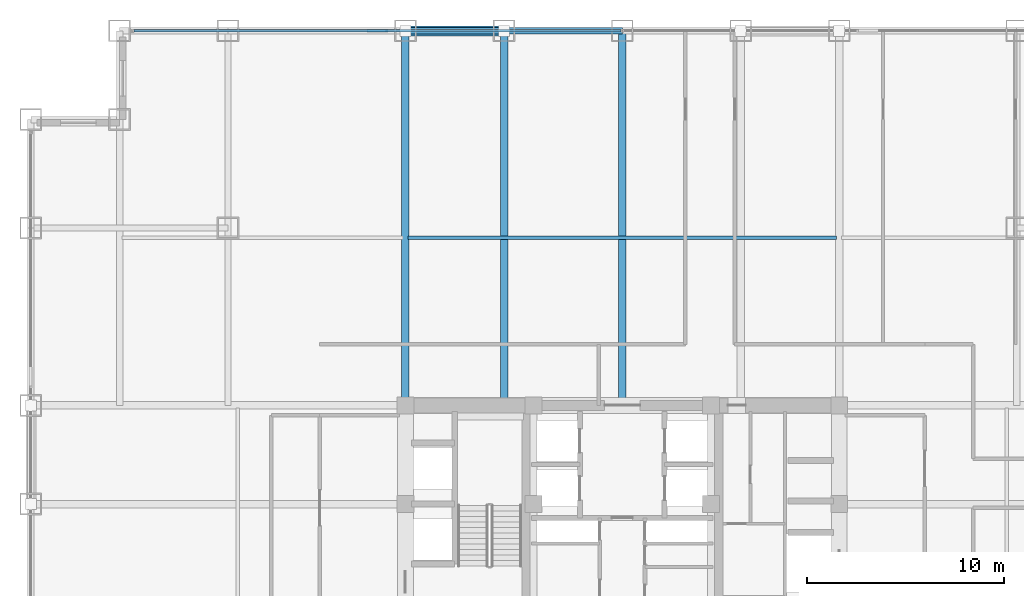
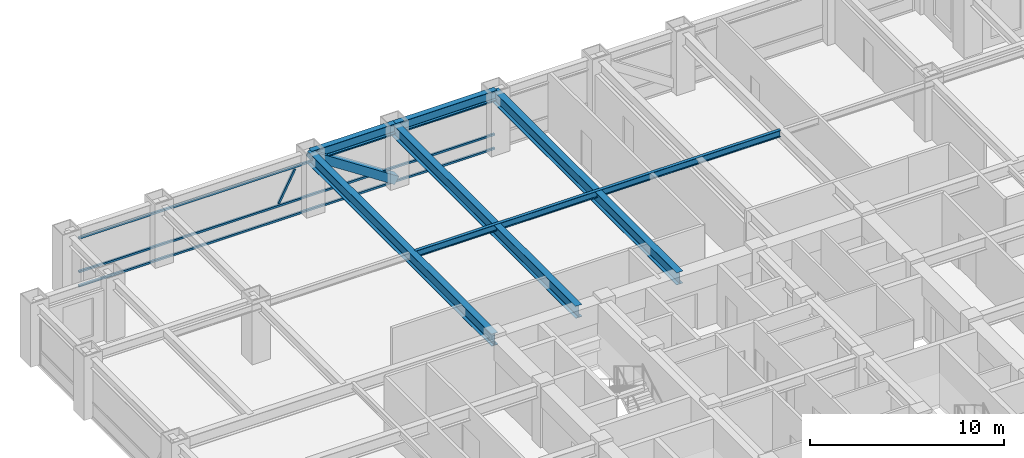
# One storey, part 15 of 24: 6 beams, 5 members, 1 element without a shape of its own.
"""IFC4 building model written with IfcOpenShell, lengths in metres."""

import ifcopenshell
import ifcopenshell.guid

model = None  # the IFC model being written
_history = None  # IfcOwnerHistory: only IFC2X3 demands one
_inside = {}  # id of a spatial element -> (the spatial element, [elements in it])
_under = {}  # id of a project, library or spatial element -> (it, [spatial elements below it])
_declared = {}  # id of a project -> (the project, [libraries it declares])
_typed = {}  # id of a type object -> (the type object, [elements of that type])
_made_of = {}  # id of a material, layer set ... -> (it, [elements and type objects made of it])


def new_model(schema):
    """Start an empty IFC model of exactly this schema.

    Asked for "IFC4X3", IfcOpenShell would pick the latest addendum, in which some entities
    have other attributes; the version numbers below select the first issue.
    IFC2X3 requires an IfcOwnerHistory on every rooted entity: one is made here for all.
    """
    global model, _history
    if schema == "IFC4X3":
        model = ifcopenshell.file(schema_version=(4, 3, 0, 0))
    else:
        model = ifcopenshell.file(schema=schema)
    _inside.clear()
    _under.clear()
    _declared.clear()
    _typed.clear()
    _made_of.clear()
    _history = None
    if model.schema == "IFC2X3":
        org = make("IfcOrganization", Name="unknown")
        user = make(
            "IfcPersonAndOrganization",
            ThePerson=make("IfcPerson", FamilyName="unknown"),
            TheOrganization=org,
        )
        app = make(
            "IfcApplication",
            ApplicationDeveloper=org,
            Version="unknown",
            ApplicationFullName="unknown",
            ApplicationIdentifier="unknown",
        )
        _history = make(
            "IfcOwnerHistory",
            OwningUser=user,
            OwningApplication=app,
            ChangeAction="ADDED",
            CreationDate=0,
        )
    return model


def make(cls, **values):
    """One entity of the class cls with the attributes given. An attribute that is None is left unset."""
    return model.create_entity(
        cls, **{name: value for name, value in values.items() if value is not None}
    )


def rooted(cls, **values):
    """An entity with a GlobalId (a new one), such as an element, a storey or a relation."""
    return make(cls, GlobalId=ifcopenshell.guid.new(), OwnerHistory=_history, **values)


def si_unit(unit_type, name, prefix=None):
    """IfcSIUnit, for example si_unit("LENGTHUNIT", "METRE", prefix="MILLI")."""
    return make("IfcSIUnit", UnitType=unit_type, Prefix=prefix, Name=name)


def assignment(units):
    """IfcUnitAssignment: the units of a project."""
    return None if units is None else make("IfcUnitAssignment", Units=units)


def point(xyz):
    """IfcCartesianPoint."""
    return None if xyz is None else make("IfcCartesianPoint", Coordinates=xyz)


def direction(xyz):
    """IfcDirection."""
    return None if xyz is None else make("IfcDirection", DirectionRatios=xyz)


def frame(location, z_axis=None, x_axis=None):
    """IfcAxis2Placement3D, a coordinate frame: its origin and axes. An axis left out is left unset."""
    return make(
        "IfcAxis2Placement3D",
        Location=point(location),
        Axis=direction(z_axis),
        RefDirection=direction(x_axis),
    )


def frame_2d(location, x_axis=None):
    """IfcAxis2Placement2D, a coordinate frame in the plane: its origin and x axis."""
    return make(
        "IfcAxis2Placement2D", Location=point(location), RefDirection=direction(x_axis)
    )


def origin():
    """The frame at (0, 0, 0) with its axes left unset."""
    return frame((0.0, 0.0, 0.0))


def origin_2d():
    """The frame at (0, 0) in the plane with its x axis left unset."""
    return frame_2d((0.0, 0.0))


def place(relative_to, where):
    """IfcLocalPlacement: puts the frame where relative to a parent placement (None: the world)."""
    return make(
        "IfcLocalPlacement", PlacementRelTo=relative_to, RelativePlacement=where
    )


def context(
    kind, dimensions, precision=None, world=None, true_north=None, identifier=None
):
    """IfcGeometricRepresentationContext, for example the 3D "Model" context."""
    return make(
        "IfcGeometricRepresentationContext",
        ContextIdentifier=identifier,
        ContextType=kind,
        CoordinateSpaceDimension=dimensions,
        Precision=precision,
        WorldCoordinateSystem=world,
        TrueNorth=true_north,
    )


def subcontext(parent, identifier, kind, view, scale=None):
    """IfcGeometricRepresentationSubContext, for example "Body" below "Model"."""
    return make(
        "IfcGeometricRepresentationSubContext",
        ContextIdentifier=identifier,
        ContextType=kind,
        ParentContext=parent,
        TargetScale=scale,
        TargetView=view,
    )


def project(units=None, contexts=None):
    """IfcProject with its units and contexts."""
    return rooted(
        "IfcProject",
        Name="project",
        RepresentationContexts=contexts,
        UnitsInContext=assignment(units),
    )


def spatial(cls, under=None, at=None, **own):
    """A site, building, storey or space (cls), placed at a placement, below another one or the project."""
    s = rooted(cls, ObjectPlacement=at, **own)
    if under is not None:
        _under.setdefault(under.id(), (under, []))[1].append(s)
    return s


def profile(cls, at=None, kind="AREA", **sizes):
    """A parametric profile (cls). Its sizes go by their IFC names, for example OverallWidth=200.0."""
    return make(cls, ProfileType=kind, Position=at, **sizes)


def hollow_rectangle(**sizes):
    """IfcRectangleHollowProfileDef."""
    return profile("IfcRectangleHollowProfileDef", **sizes)


def i_section(**sizes):
    """IfcIShapeProfileDef."""
    return profile("IfcIShapeProfileDef", **sizes)


def extrude(swept, where, along, depth):
    """IfcExtrudedAreaSolid: the profile swept, set in the frame where, extruded along a direction by depth."""
    return make(
        "IfcExtrudedAreaSolid",
        SweptArea=swept,
        Position=where,
        ExtrudedDirection=direction(along),
        Depth=depth,
    )


def shape(context_of_items, identifier, shape_type, items):
    """IfcShapeRepresentation: the items that make up one representation, for example the "Body"."""
    return make(
        "IfcShapeRepresentation",
        ContextOfItems=context_of_items,
        RepresentationIdentifier=identifier,
        RepresentationType=shape_type,
        Items=items,
    )


def source(mapping_origin, context_of_items, identifier, shape_type, items):
    """IfcRepresentationMap: a shape defined once, which mapped items show again and again."""
    return make(
        "IfcRepresentationMap",
        MappingOrigin=mapping_origin,
        MappedRepresentation=shape(context_of_items, identifier, shape_type, items),
    )


def transform(
    local_origin,
    x_axis=None,
    y_axis=None,
    z_axis=None,
    scale=None,
    scale2=None,
    scale3=None,
    uniform=True,
):
    """IfcCartesianTransformationOperator3D, or its non-uniform kind. x_axis, y_axis, z_axis: its Axis1, 2, 3."""
    if uniform:
        return make(
            "IfcCartesianTransformationOperator3D",
            Axis1=direction(x_axis),
            Axis2=direction(y_axis),
            LocalOrigin=point(local_origin),
            Scale=scale,
            Axis3=direction(z_axis),
        )
    return make(
        "IfcCartesianTransformationOperator3DnonUniform",
        Axis1=direction(x_axis),
        Axis2=direction(y_axis),
        LocalOrigin=point(local_origin),
        Scale=scale,
        Axis3=direction(z_axis),
        Scale2=scale2,
        Scale3=scale3,
    )


def mapped(mapping_source, mapping_target):
    """IfcMappedItem: shows the shape of a source again, moved by a transform."""
    return make(
        "IfcMappedItem", MappingSource=mapping_source, MappingTarget=mapping_target
    )


def material(Name=None, Category=None):
    """IfcMaterial."""
    return make("IfcMaterial", Name=Name, Category=Category)


def material_profile(
    of_material, cross_section, Name=None, Category=None, Priority=None
):
    """IfcMaterialProfile: a cross section and its material."""
    return make(
        "IfcMaterialProfile",
        Name=Name,
        Material=of_material,
        Profile=cross_section,
        Priority=Priority,
        Category=Category,
    )


def profile_set(profiles, Name=None, composite=None):
    """IfcMaterialProfileSet."""
    return make(
        "IfcMaterialProfileSet",
        Name=Name,
        MaterialProfiles=profiles,
        CompositeProfile=composite,
    )


def made_of(thing, what):
    """Note that an element or type object is made of a material, layer set ...; save() writes the relation."""
    if what is not None:
        _made_of.setdefault(what.id(), (what, []))[1].append(thing)
    return thing


def type_object(cls, material=None, **own):
    """A type object (cls), such as IfcWallType, which elements share."""
    return made_of(rooted(cls, **own), material)


def element(
    cls,
    number,
    at=None,
    inside=None,
    cuts=None,
    type_object=None,
    material=None,
    context=None,
    identifier="Body",
    shape_type=None,
    held_by="IfcProductDefinitionShape",
    body=None,
    shapes=None,
    **own,
):
    """One element of the class cls, such as IfcWall. Its Tag is "e" and its number.

    at: its placement. inside: the storey or other place that contains it. cuts: it is an
    opening in that element (IfcRelVoidsElement). A single representation is given by context,
    identifier, shape_type and body (its items); several are given by shapes. held_by: the class
    of the entity that holds the representations. save() writes the other relations.
    """
    e = rooted(cls, Tag="e%d" % number, ObjectPlacement=at, **own)
    if body is not None:
        shapes = [shape(context, identifier, shape_type, body)]
    if shapes is not None:
        e.Representation = make(held_by, Representations=shapes)
    if inside is not None:
        _inside.setdefault(inside.id(), (inside, []))[1].append(e)
    if cuts is not None:
        rooted(
            "IfcRelVoidsElement", RelatingBuildingElement=cuts, RelatedOpeningElement=e
        )
    if type_object is not None:
        _typed.setdefault(type_object.id(), (type_object, []))[1].append(e)
    return made_of(e, material)


def aggregate(whole, parts):
    """IfcRelAggregates: a whole, such as a stair, and the parts it consists of."""
    return rooted("IfcRelAggregates", RelatingObject=whole, RelatedObjects=parts)


def save(model, path):
    """Write the relations noted so far, then the file.

    IfcRelAggregates (storeys below a building ...), IfcRelContainedInSpatialStructure (elements
    in a storey), IfcRelDefinesByType, IfcRelAssociatesMaterial and IfcRelDeclares: one each for
    every whole, place, type object, material and project.
    """
    for whole, parts in _under.values():
        aggregate(whole, parts)
    for where, things in _inside.values():
        rooted(
            "IfcRelContainedInSpatialStructure",
            RelatedElements=things,
            RelatingStructure=where,
        )
    for kind, things in _typed.values():
        rooted("IfcRelDefinesByType", RelatedObjects=things, RelatingType=kind)
    for what, things in _made_of.values():
        rooted("IfcRelAssociatesMaterial", RelatedObjects=things, RelatingMaterial=what)
    for by, libraries in _declared.values():
        rooted("IfcRelDeclares", RelatingContext=by, RelatedDefinitions=libraries)
    model.write(path)


model = new_model("IFC4")

# Units and contexts
model_context = context("Model", 3, precision=1e-05, world=origin(), true_north=direction((0.0, 1.0)))
body_context = subcontext(model_context, "Body", "Model", "MODEL_VIEW")
ifc_project = project(units=[si_unit("LENGTHUNIT", "METRE"), si_unit("AREAUNIT", "SQUARE_METRE"), si_unit("VOLUMEUNIT", "CUBIC_METRE"), si_unit("PLANEANGLEUNIT", "RADIAN"), si_unit("MASSUNIT", "GRAM", prefix="KILO")], contexts=[model_context])

# Site, building, storey
site_placement = place(None, origin())
site = spatial("IfcSite", under=ifc_project, at=site_placement, CompositionType="ELEMENT")
building_placement = place(site_placement, origin())
building = spatial("IfcBuilding", under=site, at=building_placement, Name="Khorayat Bourse Tower", CompositionType="ELEMENT")
storey_placement = place(building_placement, frame((0.0, 0.0, 167.10009765625)))
storey = spatial("IfcBuildingStorey", under=building, at=storey_placement, Name="L38", CompositionType="ELEMENT", Elevation=167.10009765625)

# Beams
ifc_material_1 = material(Name="Steel ASTM A992 Grade 50", Category="steel")
ifc_material_profile_1 = material_profile(ifc_material_1, i_section(OverallWidth=0.381103515625, OverallDepth=0.77294921875, WebThickness=0.0166015625, FlangeThickness=0.027587890625, FilletRadius=0.01806640625, at=origin_2d()), Name="W760X257")
ifc_profile_set_1 = profile_set([ifc_material_profile_1], Name="Steel ASTM A992 Grade 50")
beam_type_1 = type_object("IfcBeamType", Name="BM-GIRD-760", PredefinedType="BEAM", material=ifc_profile_set_1)
shared_shape_1 = source(origin(), body_context, "Body", "SweptSolid", [
    extrude(i_section(OverallWidth=0.381103515625, OverallDepth=0.77294921875, WebThickness=0.0166015625, FlangeThickness=0.027587890625, FilletRadius=0.01806640625, at=origin_2d()), origin(), (0.0, 0.0, 1.0), 19.0),
])
for number, where, z_axis, x_axis, name in (
    (1, (-11.0, 11.0, 3.393310546875), (0.0, 1.0, 0.0), (-1.0, 0.0, 0.0), "L38 BM-GIRD-760 BM-L38-RADY-064"),
    (2, (-6.0, 11.0, 3.393310546875), (0.0, 1.0, 0.0), (-1.0, 0.0, 0.0), "L38 BM-GIRD-760 BM-L38-RADY-066"),
    (3, (0.0, 11.0, 3.393310546875), (0.0, 1.0, 0.0), (-1.0, 0.0, 0.0), "L38 BM-GIRD-760 BM-L38-RADY-068"),
):
    element("IfcBeam", number, at=place(storey_placement, frame(where, z_axis=z_axis, x_axis=x_axis)), inside=storey, type_object=beam_type_1, Name=name, PredefinedType="BEAM", context=body_context, shape_type="MappedRepresentation", body=[
        mapped(shared_shape_1, transform((0.0, 0.0, 0.0), scale=1.0)),
    ])
ifc_material_profile_2 = material_profile(ifc_material_1, i_section(OverallWidth=0.180908203125, OverallDepth=0.4169921875, WebThickness=0.010986328125, FlangeThickness=0.018310546875, FilletRadius=0.011962890625, at=origin_2d()), Name="W410X85")
ifc_profile_set_2 = profile_set([ifc_material_profile_2], Name="Steel ASTM A992 Grade 50")
beam_type_2 = type_object("IfcBeamType", Name="BM-JOIST-410", PredefinedType="JOIST", material=ifc_profile_set_2)
shared_shape_2 = source(origin(), body_context, "Body", "SweptSolid", [
    extrude(i_section(OverallWidth=0.180908203125, OverallDepth=0.4169921875, WebThickness=0.010986328125, FlangeThickness=0.018310546875, FilletRadius=0.011962890625, at=origin_2d()), origin(), (0.0, 0.0, 1.0), 21.740234375),
])
beam_1_placement = place(storey_placement, frame((-10.8701171875, 19.5, 3.5712890625), z_axis=(1.0, 0.0, 0.0), x_axis=(0.0, 1.0, 0.0)))
element("IfcBeam", 4, at=beam_1_placement, inside=storey, type_object=beam_type_2, Name="L38 BM-JOIST-410 BM-L38-JSTX-100", PredefinedType="JOIST", context=body_context, shape_type="MappedRepresentation", body=[
    mapped(shared_shape_2, transform((0.0, 0.0, 0.0), scale=1.0)),
])
ifc_material_profile_3 = material_profile(ifc_material_1, i_section(OverallWidth=0.324951171875, OverallDepth=0.615966796875, WebThickness=0.013916015625, FlangeThickness=0.021484375, FilletRadius=0.01611328125, at=origin_2d()), Name="W610X174")
ifc_profile_set_3 = profile_set([ifc_material_profile_3], Name="Steel ASTM A992 Grade 50")
beam_type_3 = type_object("IfcBeamType", Name="BM-SPAN-610", PredefinedType="SPANDREL", material=ifc_profile_set_3)
shared_shape_3 = source(origin(), body_context, "Body", "SweptSolid", [
    extrude(i_section(OverallWidth=0.324951171875, OverallDepth=0.615966796875, WebThickness=0.013916015625, FlangeThickness=0.021484375, FilletRadius=0.01611328125, at=origin_2d()), origin(), (0.0, 0.0, 1.0), 5.0),
])
beam_2_placement = place(storey_placement, frame((-11.0, 30.0, 3.471923828125), z_axis=(1.0, 0.0, 0.0), x_axis=(0.0, 1.0, 0.0)))
element("IfcBeam", 5, at=beam_2_placement, inside=storey, type_object=beam_type_3, Name="L38 BM-SPAN-610 BM-L38-SPN-049", PredefinedType="SPANDREL", context=body_context, shape_type="MappedRepresentation", body=[
    mapped(shared_shape_3, transform((0.0, 0.0, 0.0), scale=1.0)),
])
shared_shape_4 = source(origin(), body_context, "Body", "SweptSolid", [
    extrude(i_section(OverallWidth=0.324951171875, OverallDepth=0.615966796875, WebThickness=0.013916015625, FlangeThickness=0.021484375, FilletRadius=0.01611328125, at=origin_2d()), origin(), (0.0, 0.0, 1.0), 6.0),
])
beam_3_placement = place(storey_placement, frame((-6.0, 30.0, 3.471923828125), z_axis=(1.0, 0.0, 0.0), x_axis=(0.0, 1.0, 0.0)))
element("IfcBeam", 6, at=beam_3_placement, inside=storey, type_object=beam_type_3, Name="L38 BM-SPAN-610 BM-L38-SPN-048", PredefinedType="SPANDREL", context=body_context, shape_type="MappedRepresentation", body=[
    mapped(shared_shape_4, transform((0.0, 0.0, 0.0), scale=1.0)),
])

# Member
ifc_material_2 = material(Name="Steel EN 10025-4 S460M", Category="steel")
ifc_material_profile_4 = material_profile(ifc_material_2, hollow_rectangle(XDim=0.5, YDim=0.5, WallThickness=0.028076171875, at=origin_2d()), Name="HSS 500x500x28")
ifc_profile_set_4 = profile_set([ifc_material_profile_4], Name="Steel EN 10025-4 S460M")
member_type_1 = type_object("IfcMemberType", Name="MBR-TUBE-500", PredefinedType="BRACE", material=ifc_profile_set_4)
shared_shape_5 = source(origin(), body_context, "Body", "SweptSolid", [
    extrude(hollow_rectangle(XDim=0.5, YDim=0.5, WallThickness=0.028076171875, at=origin_2d()), origin(), (0.0, 0.0, 1.0), 5.979736328125),
])
member_1_placement = place(storey_placement, frame((-11.0, 30.0, 3.52978515625), z_axis=(0.836160261256, 0.0, -0.548485202623), x_axis=(0.0, 1.0, 0.0)))
element("IfcMember", 7, at=member_1_placement, inside=storey, type_object=member_type_1, Name="L38 Perimeter Tube Brace 03", PredefinedType="BRACE", context=body_context, shape_type="MappedRepresentation", body=[
    mapped(shared_shape_5, transform((0.0, 0.0, 0.0), scale=1.0)),
])

# Curtain wall, members
ifc_material_3 = material(Name="Aluminium EN AW-6063 T6", Category="aluminium")
curtain_wall_type = type_object("IfcCurtainWallType", Name="CW-SYS-03", PredefinedType="NOTDEFINED", material=ifc_material_3)
curtain_wall_placement = place(storey_placement, origin())
curtain_wall = element("IfcCurtainWall", 8, at=curtain_wall_placement, inside=storey, type_object=curtain_wall_type, Name="L38 Curtain Wall CW-L38-N1", PredefinedType="NOTDEFINED")
ifc_material_profile_5 = material_profile(ifc_material_3, hollow_rectangle(XDim=0.1201171875, YDim=0.1201171875, WallThickness=0.0048828125, at=origin_2d()), Name="ALU 120x120x5")
ifc_profile_set_5 = profile_set([ifc_material_profile_5], Name="Aluminium EN AW-6063 T6")
member_type_2 = type_object("IfcMemberType", Name="CWM-DIAG-120", PredefinedType="MULLION", material=ifc_profile_set_5)
shared_shape_6 = source(origin(), body_context, "Body", "SweptSolid", [
    extrude(hollow_rectangle(XDim=0.1201171875, YDim=0.1201171875, WallThickness=0.0048828125, at=origin_2d()), origin(), (0.0, 0.0, 1.0), 2.079345703125),
])
member_2_placement = place(storey_placement, frame((-12.904296875, 30.0, 1.08984375), z_axis=(0.465760949701, 0.0, 0.884910581773), x_axis=(0.0, 1.0, 0.0)))
member_2 = element("IfcMember", 9, at=member_2_placement, type_object=member_type_2, Name="CW-L38-N1 Faceted Diagonal Mullion 1", PredefinedType="MULLION", context=body_context, shape_type="MappedRepresentation", body=[
    mapped(shared_shape_6, transform((0.0, 0.0, 0.0), scale=1.0)),
])
ifc_material_profile_6 = material_profile(ifc_material_3, hollow_rectangle(XDim=0.1201171875, YDim=0.1201171875, WallThickness=0.0048828125, at=origin_2d()), Name="ALU 120x120x5")
ifc_profile_set_6 = profile_set([ifc_material_profile_6], Name="Aluminium EN AW-6063 T6")
member_type_3 = type_object("IfcMemberType", Name="CWT-HORZ-120", PredefinedType="USERDEFINED", material=ifc_profile_set_6)
shared_shape_7 = source(origin(), body_context, "Body", "SweptSolid", [
    extrude(hollow_rectangle(XDim=0.1201171875, YDim=0.1201171875, WallThickness=0.0048828125, at=origin_2d()), origin(), (0.0, 0.0, 1.0), 24.719970703125),
])
member_3_placement = place(storey_placement, frame((-24.780029296875, 30.0, 0.059814453125), z_axis=(1.0, 0.0, 0.0), x_axis=(0.0, 1.0, 0.0)))
member_3 = element("IfcMember", 10, at=member_3_placement, type_object=member_type_3, Name="CW-L38-N1 Horizontal Transom 1-1", ObjectType="TRANSOM", PredefinedType="USERDEFINED", context=body_context, shape_type="MappedRepresentation", body=[
    mapped(shared_shape_7, transform((0.0, 0.0, 0.0), scale=1.0)),
])
member_4_placement = place(storey_placement, frame((-24.780029296875, 30.0, 0.949951171875), z_axis=(1.0, 0.0, 0.0), x_axis=(0.0, 1.0, 0.0)))
member_4 = element("IfcMember", 11, at=member_4_placement, type_object=member_type_3, Name="CW-L38-N1 Horizontal Transom 1-2", ObjectType="TRANSOM", PredefinedType="USERDEFINED", context=body_context, shape_type="MappedRepresentation", body=[
    mapped(shared_shape_7, transform((0.0, 0.0, 0.0), scale=1.0)),
])
member_5_placement = place(storey_placement, frame((-24.780029296875, 30.0, 3.06982421875), z_axis=(1.0, 0.0, 0.0), x_axis=(0.0, 1.0, 0.0)))
member_5 = element("IfcMember", 12, at=member_5_placement, type_object=member_type_3, Name="CW-L38-N1 Horizontal Transom 1-3", ObjectType="TRANSOM", PredefinedType="USERDEFINED", context=body_context, shape_type="MappedRepresentation", body=[
    mapped(shared_shape_7, transform((0.0, 0.0, 0.0), scale=1.0)),
])
aggregate(curtain_wall, [member_3, member_4, member_5, member_2])

save(model, "model.ifc")
